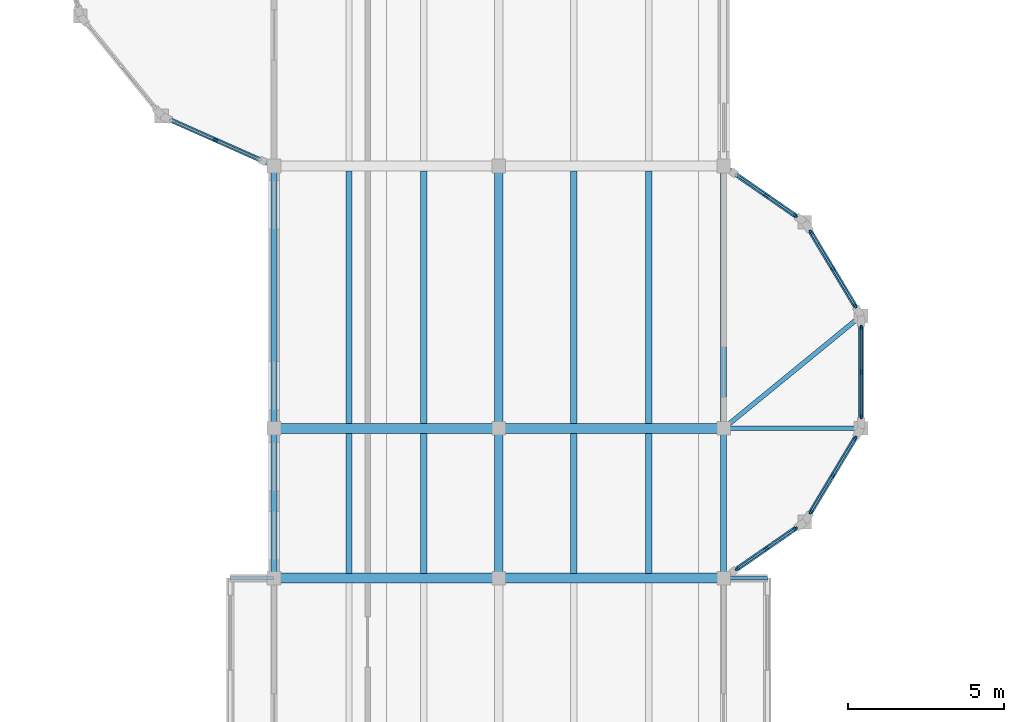
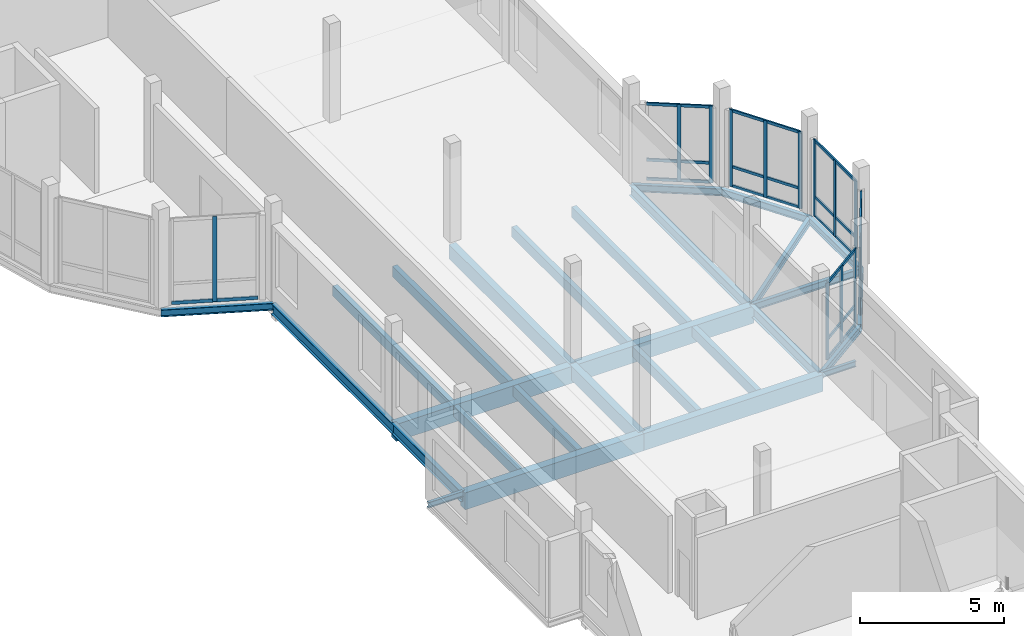
# One storey, part 26 of 81: 31 members, 28 beams, 6 elements without a shape of their own.
"""IFC4 building model written with IfcOpenShell, lengths in metres."""

from ifc_helpers import new_model, si_unit, direction, frame, origin, origin_2d, place, context, subcontext, project, spatial, rectangle, i_section, extrude, material, material_profile, profile_set, type_object, element, aggregate, save


model = new_model("IFC4")

# Units and contexts
model_context = context("Model", 3, precision=1e-05, world=origin(), true_north=direction((0.0, 1.0)))
body_context = subcontext(model_context, "Body", "Model", "MODEL_VIEW")
ifc_project = project(units=[si_unit("LENGTHUNIT", "METRE"), si_unit("AREAUNIT", "SQUARE_METRE"), si_unit("VOLUMEUNIT", "CUBIC_METRE"), si_unit("PLANEANGLEUNIT", "RADIAN"), si_unit("MASSUNIT", "GRAM", prefix="KILO")], contexts=[model_context])

# Site, building, storey
site_placement = place(None, origin())
site = spatial("IfcSite", under=ifc_project, at=site_placement, CompositionType="ELEMENT")
building_placement = place(site_placement, origin())
building = spatial("IfcBuilding", under=site, at=building_placement, Name="Kahlenmark Community Centre", CompositionType="ELEMENT")
storey_placement = place(building_placement, frame((0.0, 0.0, 9.60009765625)))
storey = spatial("IfcBuildingStorey", under=building, at=storey_placement, Name="L02", CompositionType="ELEMENT", Elevation=9.60009765625)

# Beams
ifc_material_1 = material(Name="Glulam GL32h", Category="wood")
ifc_material_profile_1 = material_profile(ifc_material_1, rectangle(XDim=0.280029296875, YDim=0.60009765625, at=origin_2d()), Name="GL32h 280x600")
ifc_profile_set_1 = profile_set([ifc_material_profile_1], Name="Glulam GL32h")
beam_type_1 = type_object("IfcBeamType", Name="BT-BEAM-GL32h280x600", PredefinedType="BEAM", material=ifc_profile_set_1)
beam_1_placement = place(storey_placement, frame((79.60009765625, 76.0, -0.52001953125), z_axis=(0.0, 1.0, 0.0), x_axis=(-1.0, 0.0, 0.0)))
element("IfcBeam", 1, at=beam_1_placement, inside=storey, type_object=beam_type_1, Name="L02 beam BG-GL32h280x600", PredefinedType="BEAM", context=body_context, shape_type="SweptSolid", body=[
    extrude(rectangle(XDim=0.280029296875, YDim=0.60009765625, at=origin_2d()), origin(), (0.0, 0.0, 1.0), 4.800048828125),
])
beam_2_placement = place(storey_placement, frame((79.60009765625, 80.800048828125, -0.52001953125), z_axis=(0.0, 1.0, 0.0), x_axis=(-1.0, 0.0, 0.0)))
element("IfcBeam", 2, at=beam_2_placement, inside=storey, type_object=beam_type_1, Name="L02 beam BG-GL32h280x600", PredefinedType="BEAM", context=body_context, shape_type="SweptSolid", body=[
    extrude(rectangle(XDim=0.280029296875, YDim=0.60009765625, at=origin_2d()), origin(), (0.0, 0.0, 1.0), 8.39990234375),
])
ifc_material_profile_2 = material_profile(ifc_material_1, rectangle(XDim=0.320068359375, YDim=0.719970703125, at=origin_2d()), Name="GL32h 320x720")
ifc_profile_set_2 = profile_set([ifc_material_profile_2], Name="Glulam GL32h")
beam_type_2 = type_object("IfcBeamType", Name="BT-BEAM-GL32h320x720", PredefinedType="BEAM", material=ifc_profile_set_2)
beam_3_placement = place(storey_placement, frame((72.39990234375, 76.0, -0.580078125), z_axis=(1.0, 0.0, 0.0), x_axis=(0.0, 1.0, 0.0)))
element("IfcBeam", 3, at=beam_3_placement, inside=storey, type_object=beam_type_2, Name="L02 beam BG-GL32h320x720", PredefinedType="BEAM", context=body_context, shape_type="SweptSolid", body=[
    extrude(rectangle(XDim=0.320068359375, YDim=0.719970703125, at=origin_2d()), origin(), (0.0, 0.0, 1.0), 7.2001953125),
])
beam_4_placement = place(storey_placement, frame((79.60009765625, 76.0, -0.580078125), z_axis=(1.0, 0.0, 0.0), x_axis=(0.0, 1.0, 0.0)))
element("IfcBeam", 4, at=beam_4_placement, inside=storey, type_object=beam_type_2, Name="L02 beam BG-GL32h320x720", PredefinedType="BEAM", context=body_context, shape_type="SweptSolid", body=[
    extrude(rectangle(XDim=0.320068359375, YDim=0.719970703125, at=origin_2d()), origin(), (0.0, 0.0, 1.0), 7.199951171875),
])
beam_5_placement = place(storey_placement, frame((72.39990234375, 80.800048828125, -0.580078125), z_axis=(1.0, 0.0, 0.0), x_axis=(0.0, 1.0, 0.0)))
element("IfcBeam", 5, at=beam_5_placement, inside=storey, type_object=beam_type_2, Name="L02 beam BG-GL32h320x720", PredefinedType="BEAM", context=body_context, shape_type="SweptSolid", body=[
    extrude(rectangle(XDim=0.320068359375, YDim=0.719970703125, at=origin_2d()), origin(), (0.0, 0.0, 1.0), 7.2001953125),
])
beam_6_placement = place(storey_placement, frame((79.60009765625, 80.800048828125, -0.580078125), z_axis=(1.0, 0.0, 0.0), x_axis=(0.0, 1.0, 0.0)))
element("IfcBeam", 6, at=beam_6_placement, inside=storey, type_object=beam_type_2, Name="L02 beam BG-GL32h320x720", PredefinedType="BEAM", context=body_context, shape_type="SweptSolid", body=[
    extrude(rectangle(XDim=0.320068359375, YDim=0.719970703125, at=origin_2d()), origin(), (0.0, 0.0, 1.0), 7.199951171875),
])
ifc_material_2 = material(Name="Steel S355", Category="steel")
ifc_material_profile_3 = material_profile(ifc_material_2, i_section(OverallWidth=0.1201171875, OverallDepth=0.239990234375, WebThickness=0.006103515625, FlangeThickness=0.009765625, at=origin_2d()), Name="IPE 240")
ifc_profile_set_3 = profile_set([ifc_material_profile_3], Name="Steel S355")
beam_type_3 = type_object("IfcBeamType", Name="BT-BEAM-IPE240", PredefinedType="BEAM", material=ifc_profile_set_3)
for number, where, z_axis, x_axis, name in (
    (7, (86.800048828125, 76.0, -0.320068359375), (1.0, 0.0, 0.0), (0.0, 1.0, 0.0), "L02 beam BG-IPE240"),
    (8, (71.0, 76.0, -0.320068359375), (1.0, 0.0, 0.0), (0.0, 1.0, 0.0), "L02 beam BG-IPE240"),
):
    element("IfcBeam", number, at=place(storey_placement, frame(where, z_axis=z_axis, x_axis=x_axis)), inside=storey, type_object=beam_type_3, Name=name, PredefinedType="BEAM", context=body_context, shape_type="SweptSolid", body=[
        extrude(i_section(OverallWidth=0.1201171875, OverallDepth=0.239990234375, WebThickness=0.006103515625, FlangeThickness=0.009765625, at=origin_2d()), origin(), (0.0, 0.0, 1.0), 1.39990234375),
    ])
ifc_material_profile_4 = material_profile(ifc_material_2, i_section(OverallWidth=0.14990234375, OverallDepth=0.300048828125, WebThickness=0.007080078125, FlangeThickness=0.0107421875, at=origin_2d()), Name="IPE 300")
ifc_profile_set_4 = profile_set([ifc_material_profile_4], Name="Steel S355")
beam_type_4 = type_object("IfcBeamType", Name="BT-BEAM-IPE300", PredefinedType="BEAM", material=ifc_profile_set_4)
beam_7_placement = place(storey_placement, frame((91.199951171875, 80.800048828125, -0.35009765625), z_axis=(-1.0, 0.0, 0.0), x_axis=(0.0, -1.0, 0.0)))
element("IfcBeam", 9, at=beam_7_placement, inside=storey, type_object=beam_type_4, Name="L02 beam BG-IPE300", PredefinedType="BEAM", context=body_context, shape_type="SweptSolid", body=[
    extrude(i_section(OverallWidth=0.14990234375, OverallDepth=0.300048828125, WebThickness=0.007080078125, FlangeThickness=0.0107421875, at=origin_2d()), origin(), (0.0, 0.0, 1.0), 4.39990234375),
])
beam_8_placement = place(storey_placement, frame((91.199951171875, 84.39990234375, -0.35009765625), z_axis=(-0.773963039406, -0.633230774389, 0.0), x_axis=(0.633230774389, -0.773963039406, 0.0)))
element("IfcBeam", 10, at=beam_8_placement, inside=storey, type_object=beam_type_4, Name="L02 beam BG-IPE300", PredefinedType="BEAM", context=body_context, shape_type="SweptSolid", body=[
    extrude(i_section(OverallWidth=0.14990234375, OverallDepth=0.300048828125, WebThickness=0.007080078125, FlangeThickness=0.0107421875, at=origin_2d()), origin(), (0.0, 0.0, 1.0), 5.684814453125),
])
ifc_material_3 = material(Name="Glulam GL28h", Category="wood")
ifc_material_profile_5 = material_profile(ifc_material_3, rectangle(XDim=0.199951171875, YDim=0.43994140625, at=origin_2d()), Name="GL28h 200x440")
ifc_profile_set_5 = profile_set([ifc_material_profile_5], Name="Glulam GL28h")
beam_type_5 = type_object("IfcBeamType", Name="BT-JOIST-GL28h200x440", PredefinedType="JOIST", material=ifc_profile_set_5)
for number, where, z_axis, x_axis, name in (
    (11, (74.800048828125, 76.157958984375, -0.440185546875), (0.0, 1.0, 0.0), (-1.0, 0.0, 0.0), "L02 joist BJ-GL28h200x440"),
    (12, (77.199951171875, 76.157958984375, -0.440185546875), (0.0, 1.0, 0.0), (-1.0, 0.0, 0.0), "L02 joist BJ-GL28h200x440"),
):
    element("IfcBeam", number, at=place(storey_placement, frame(where, z_axis=z_axis, x_axis=x_axis)), inside=storey, type_object=beam_type_5, Name=name, PredefinedType="JOIST", context=body_context, shape_type="SweptSolid", body=[
        extrude(rectangle(XDim=0.199951171875, YDim=0.43994140625, at=origin_2d()), origin(), (0.0, 0.0, 1.0), 4.484130859375),
    ])
for number, where, z_axis, x_axis, name in (
    (13, (74.800048828125, 80.9580078125, -0.440185546875), (0.0, 1.0, 0.0), (-1.0, 0.0, 0.0), "L02 joist BJ-GL28h200x440"),
    (14, (77.199951171875, 80.9580078125, -0.440185546875), (0.0, 1.0, 0.0), (-1.0, 0.0, 0.0), "L02 joist BJ-GL28h200x440"),
):
    element("IfcBeam", number, at=place(storey_placement, frame(where, z_axis=z_axis, x_axis=x_axis)), inside=storey, type_object=beam_type_5, Name=name, PredefinedType="JOIST", context=body_context, shape_type="SweptSolid", body=[
        extrude(rectangle(XDim=0.199951171875, YDim=0.43994140625, at=origin_2d()), origin(), (0.0, 0.0, 1.0), 8.083984375),
    ])
for number, where, z_axis, x_axis, name in (
    (15, (82.0, 76.157958984375, -0.440185546875), (0.0, 1.0, 0.0), (-1.0, 0.0, 0.0), "L02 joist BJ-GL28h200x440"),
    (16, (84.39990234375, 76.157958984375, -0.440185546875), (0.0, 1.0, 0.0), (-1.0, 0.0, 0.0), "L02 joist BJ-GL28h200x440"),
):
    element("IfcBeam", number, at=place(storey_placement, frame(where, z_axis=z_axis, x_axis=x_axis)), inside=storey, type_object=beam_type_5, Name=name, PredefinedType="JOIST", context=body_context, shape_type="SweptSolid", body=[
        extrude(rectangle(XDim=0.199951171875, YDim=0.43994140625, at=origin_2d()), origin(), (0.0, 0.0, 1.0), 4.484130859375),
    ])
for number, where, z_axis, x_axis, name in (
    (17, (82.0, 80.9580078125, -0.440185546875), (0.0, 1.0, 0.0), (-1.0, 0.0, 0.0), "L02 joist BJ-GL28h200x440"),
    (18, (84.39990234375, 80.9580078125, -0.440185546875), (0.0, 1.0, 0.0), (-1.0, 0.0, 0.0), "L02 joist BJ-GL28h200x440"),
):
    element("IfcBeam", number, at=place(storey_placement, frame(where, z_axis=z_axis, x_axis=x_axis)), inside=storey, type_object=beam_type_5, Name=name, PredefinedType="JOIST", context=body_context, shape_type="SweptSolid", body=[
        extrude(rectangle(XDim=0.199951171875, YDim=0.43994140625, at=origin_2d()), origin(), (0.0, 0.0, 1.0), 8.083984375),
    ])
ifc_material_profile_6 = material_profile(ifc_material_2, i_section(OverallWidth=0.14990234375, OverallDepth=0.300048828125, WebThickness=0.007080078125, FlangeThickness=0.0107421875, at=origin_2d()), Name="IPE 300")
ifc_profile_set_6 = profile_set([ifc_material_profile_6], Name="Steel S355")
beam_type_6 = type_object("IfcBeamType", Name="BT-SPANDREL-IPE300", PredefinedType="SPANDREL", material=ifc_profile_set_6)
beam_9_placement = place(storey_placement, frame((86.800048828125, 76.0, -0.35009765625), z_axis=(0.8221699556, 0.569242096219, 0.0), x_axis=(-0.569242096219, 0.8221699556, 0.0)))
element("IfcBeam", 19, at=beam_9_placement, inside=storey, type_object=beam_type_6, Name="L02 spandrel SP-IPE300", PredefinedType="SPANDREL", context=body_context, shape_type="SweptSolid", body=[
    extrude(i_section(OverallWidth=0.14990234375, OverallDepth=0.300048828125, WebThickness=0.007080078125, FlangeThickness=0.0107421875, at=origin_2d()), origin(), (0.0, 0.0, 1.0), 3.162109375),
])
beam_10_placement = place(storey_placement, frame((89.39990234375, 77.800048828125, -0.35009765625), z_axis=(0.514506017516, 0.857486768376, 0.0), x_axis=(-0.857486768376, 0.514506017516, 0.0)))
element("IfcBeam", 20, at=beam_10_placement, inside=storey, type_object=beam_type_6, Name="L02 spandrel SP-IPE300", PredefinedType="SPANDREL", context=body_context, shape_type="SweptSolid", body=[
    extrude(i_section(OverallWidth=0.14990234375, OverallDepth=0.300048828125, WebThickness=0.007080078125, FlangeThickness=0.0107421875, at=origin_2d()), origin(), (0.0, 0.0, 1.0), 3.49853515625),
])
beam_11_placement = place(storey_placement, frame((91.199951171875, 80.800048828125, -0.35009765625), z_axis=(0.0, 1.0, 0.0), x_axis=(-1.0, 0.0, 0.0)))
element("IfcBeam", 21, at=beam_11_placement, inside=storey, type_object=beam_type_6, Name="L02 spandrel SP-IPE300", PredefinedType="SPANDREL", context=body_context, shape_type="SweptSolid", body=[
    extrude(i_section(OverallWidth=0.14990234375, OverallDepth=0.300048828125, WebThickness=0.007080078125, FlangeThickness=0.0107421875, at=origin_2d()), origin(), (0.0, 0.0, 1.0), 3.599853515625),
])
beam_12_placement = place(storey_placement, frame((91.199951171875, 84.39990234375, -0.35009765625), z_axis=(-0.514506017516, 0.857486768376, 0.0), x_axis=(-0.857486768376, -0.514506017516, 0.0)))
element("IfcBeam", 22, at=beam_12_placement, inside=storey, type_object=beam_type_6, Name="L02 spandrel SP-IPE300", PredefinedType="SPANDREL", context=body_context, shape_type="SweptSolid", body=[
    extrude(i_section(OverallWidth=0.14990234375, OverallDepth=0.300048828125, WebThickness=0.007080078125, FlangeThickness=0.0107421875, at=origin_2d()), origin(), (0.0, 0.0, 1.0), 3.49853515625),
])
beam_13_placement = place(storey_placement, frame((89.39990234375, 87.39990234375, -0.35009765625), z_axis=(-0.8221699556, 0.569242096219, 0.0), x_axis=(-0.569242096219, -0.8221699556, 0.0)))
element("IfcBeam", 23, at=beam_13_placement, inside=storey, type_object=beam_type_6, Name="L02 spandrel SP-IPE300", PredefinedType="SPANDREL", context=body_context, shape_type="SweptSolid", body=[
    extrude(i_section(OverallWidth=0.14990234375, OverallDepth=0.300048828125, WebThickness=0.007080078125, FlangeThickness=0.0107421875, at=origin_2d()), origin(), (0.0, 0.0, 1.0), 3.162109375),
])
beam_14_placement = place(storey_placement, frame((68.800048828125, 90.800048828125, -0.35009765625), z_axis=(0.913796214371, -0.40617296636, 0.0), x_axis=(0.40617296636, 0.913796214371, 0.0)))
element("IfcBeam", 24, at=beam_14_placement, inside=storey, type_object=beam_type_6, Name="L02 spandrel SP-IPE300", PredefinedType="SPANDREL", context=body_context, shape_type="SweptSolid", body=[
    extrude(i_section(OverallWidth=0.14990234375, OverallDepth=0.300048828125, WebThickness=0.007080078125, FlangeThickness=0.0107421875, at=origin_2d()), origin(), (0.0, 0.0, 1.0), 3.939453125),
])
ifc_material_profile_7 = material_profile(ifc_material_2, i_section(OverallWidth=0.18994140625, OverallDepth=0.449951171875, WebThickness=0.009521484375, FlangeThickness=0.0146484375, at=origin_2d()), Name="IPE 450")
ifc_profile_set_7 = profile_set([ifc_material_profile_7], Name="Steel S355")
beam_type_7 = type_object("IfcBeamType", Name="BT-SPANDREL-IPE450", PredefinedType="SPANDREL", material=ifc_profile_set_7)
beam_15_placement = place(storey_placement, frame((72.39990234375, 76.0, -0.445068359375), z_axis=(0.0, 1.0, 0.0), x_axis=(-1.0, 0.0, 0.0)))
element("IfcBeam", 25, at=beam_15_placement, inside=storey, type_object=beam_type_7, Name="L02 spandrel SP-IPE450", PredefinedType="SPANDREL", context=body_context, shape_type="SweptSolid", body=[
    extrude(i_section(OverallWidth=0.18994140625, OverallDepth=0.449951171875, WebThickness=0.009521484375, FlangeThickness=0.0146484375, at=origin_2d()), origin(), (0.0, 0.0, 1.0), 4.800048828125),
])
beam_16_placement = place(storey_placement, frame((72.39990234375, 80.800048828125, -0.445068359375), z_axis=(0.0, 1.0, 0.0), x_axis=(-1.0, 0.0, 0.0)))
element("IfcBeam", 26, at=beam_16_placement, inside=storey, type_object=beam_type_7, Name="L02 spandrel SP-IPE450", PredefinedType="SPANDREL", context=body_context, shape_type="SweptSolid", body=[
    extrude(i_section(OverallWidth=0.18994140625, OverallDepth=0.449951171875, WebThickness=0.009521484375, FlangeThickness=0.0146484375, at=origin_2d()), origin(), (0.0, 0.0, 1.0), 8.39990234375),
])
beam_17_placement = place(storey_placement, frame((86.800048828125, 76.0, -0.445068359375), z_axis=(0.0, 1.0, 0.0), x_axis=(-1.0, 0.0, 0.0)))
element("IfcBeam", 27, at=beam_17_placement, inside=storey, type_object=beam_type_7, Name="L02 spandrel SP-IPE450", PredefinedType="SPANDREL", context=body_context, shape_type="SweptSolid", body=[
    extrude(i_section(OverallWidth=0.18994140625, OverallDepth=0.449951171875, WebThickness=0.009521484375, FlangeThickness=0.0146484375, at=origin_2d()), origin(), (0.0, 0.0, 1.0), 4.800048828125),
])
beam_18_placement = place(storey_placement, frame((86.800048828125, 80.800048828125, -0.445068359375), z_axis=(0.0, 1.0, 0.0), x_axis=(-1.0, 0.0, 0.0)))
element("IfcBeam", 28, at=beam_18_placement, inside=storey, type_object=beam_type_7, Name="L02 spandrel SP-IPE450", PredefinedType="SPANDREL", context=body_context, shape_type="SweptSolid", body=[
    extrude(i_section(OverallWidth=0.18994140625, OverallDepth=0.449951171875, WebThickness=0.009521484375, FlangeThickness=0.0146484375, at=origin_2d()), origin(), (0.0, 0.0, 1.0), 8.39990234375),
])

# Curtain wall, members
ifc_material_4 = material(Name="Anodised aluminium unitised curtain wall", Category="aluminium")
curtain_wall_type_1 = type_object("IfcCurtainWallType", Name="CWT-UNIT-232X327", PredefinedType="USERDEFINED", material=ifc_material_4)
curtain_wall_1_placement = place(storey_placement, origin())
curtain_wall_1 = element("IfcCurtainWall", 29, at=curtain_wall_1_placement, inside=storey, type_object=curtain_wall_type_1, Name="Unitised curtain wall CW-156", ObjectType="UNITISED CURTAIN WALL", PredefinedType="USERDEFINED")
ifc_material_5 = material(Name="Anodised aluminium 6063-T6", Category="aluminium")
ifc_material_profile_8 = material_profile(ifc_material_5, rectangle(XDim=0.06005859375, YDim=0.139892578125, at=origin_2d()), Name="ALU MULLION 60x140")
ifc_profile_set_8 = profile_set([ifc_material_profile_8], Name="Anodised aluminium 6063-T6")
member_type_1 = type_object("IfcMemberType", Name="MT-MUL-140", PredefinedType="MULLION", material=ifc_profile_set_8)
member_1_placement = place(storey_placement, frame((87.23583984375, 76.3017578125, 0.0), z_axis=(0.0, 0.0, 1.0), x_axis=(-0.56921208065, 0.822190736534, 0.0)))
member_1 = element("IfcMember", 30, at=member_1_placement, type_object=member_type_1, Name="CW-156 mullion 1", PredefinedType="MULLION", context=body_context, shape_type="SweptSolid", body=[
    extrude(rectangle(XDim=0.06005859375, YDim=0.139892578125, at=origin_2d()), origin(), (0.0, 0.0, 1.0), 3.27001953125),
])
member_2_placement = place(storey_placement, frame((88.165771484375, 76.945556640625, 0.0), z_axis=(0.0, 0.0, 1.0), x_axis=(-0.56921208065, 0.822190736534, 0.0)))
member_2 = element("IfcMember", 31, at=member_2_placement, type_object=member_type_1, Name="CW-156 mullion 2", PredefinedType="MULLION", context=body_context, shape_type="SweptSolid", body=[
    extrude(rectangle(XDim=0.06005859375, YDim=0.139892578125, at=origin_2d()), origin(), (0.0, 0.0, 1.0), 3.27001953125),
])
member_3_placement = place(storey_placement, frame((89.095703125, 77.58935546875, 0.0), z_axis=(0.0, 0.0, 1.0), x_axis=(-0.56921208065, 0.822190736534, 0.0)))
member_3 = element("IfcMember", 32, at=member_3_placement, type_object=member_type_1, Name="CW-156 mullion 3", PredefinedType="MULLION", context=body_context, shape_type="SweptSolid", body=[
    extrude(rectangle(XDim=0.06005859375, YDim=0.139892578125, at=origin_2d()), origin(), (0.0, 0.0, 1.0), 3.27001953125),
])

curtain_wall_type_2 = type_object("IfcCurtainWallType", Name="CWT-UNIT-282X327", PredefinedType="USERDEFINED", material=ifc_material_4)
curtain_wall_2_placement = place(storey_placement, origin())
curtain_wall_2 = element("IfcCurtainWall", 33, at=curtain_wall_2_placement, inside=storey, type_object=curtain_wall_type_2, Name="Unitised curtain wall CW-157", ObjectType="UNITISED CURTAIN WALL", PredefinedType="USERDEFINED")
member_4_placement = place(storey_placement, frame((89.59033203125, 78.1171875, 0.0), z_axis=(0.0, 0.0, 1.0), x_axis=(-0.857492535386, 0.514496405972, 0.0)))
member_4 = element("IfcMember", 34, at=member_4_placement, type_object=member_type_1, Name="CW-157 mullion 1", PredefinedType="MULLION", context=body_context, shape_type="SweptSolid", body=[
    extrude(rectangle(XDim=0.06005859375, YDim=0.139892578125, at=origin_2d()), origin(), (0.0, 0.0, 1.0), 3.27001953125),
])
member_5_placement = place(storey_placement, frame((90.300048828125, 79.300048828125, 0.0), z_axis=(0.0, 0.0, 1.0), x_axis=(-0.857492535386, 0.514496405972, 0.0)))
member_5 = element("IfcMember", 35, at=member_5_placement, type_object=member_type_1, Name="CW-157 mullion 2", PredefinedType="MULLION", context=body_context, shape_type="SweptSolid", body=[
    extrude(rectangle(XDim=0.06005859375, YDim=0.139892578125, at=origin_2d()), origin(), (0.0, 0.0, 1.0), 3.27001953125),
])
member_6_placement = place(storey_placement, frame((91.009765625, 80.48291015625, 0.0), z_axis=(0.0, 0.0, 1.0), x_axis=(-0.857492535386, 0.514496405972, 0.0)))
member_6 = element("IfcMember", 36, at=member_6_placement, type_object=member_type_1, Name="CW-157 mullion 3", PredefinedType="MULLION", context=body_context, shape_type="SweptSolid", body=[
    extrude(rectangle(XDim=0.06005859375, YDim=0.139892578125, at=origin_2d()), origin(), (0.0, 0.0, 1.0), 3.27001953125),
])

curtain_wall_type_3 = type_object("IfcCurtainWallType", Name="CWT-UNIT-292X327", PredefinedType="USERDEFINED", material=ifc_material_4)
curtain_wall_3_placement = place(storey_placement, origin())
curtain_wall_3 = element("IfcCurtainWall", 37, at=curtain_wall_3_placement, inside=storey, type_object=curtain_wall_type_3, Name="Unitised curtain wall CW-158", ObjectType="UNITISED CURTAIN WALL", PredefinedType="USERDEFINED")
member_7_placement = place(storey_placement, frame((91.199951171875, 81.169921875, 0.0), z_axis=(0.0, 0.0, 1.0), x_axis=(-1.0, 0.0, 0.0)))
member_7 = element("IfcMember", 38, at=member_7_placement, type_object=member_type_1, Name="CW-158 mullion 1", PredefinedType="MULLION", context=body_context, shape_type="SweptSolid", body=[
    extrude(rectangle(XDim=0.06005859375, YDim=0.139892578125, at=origin_2d()), origin(), (0.0, 0.0, 1.0), 3.27001953125),
])
member_8_placement = place(storey_placement, frame((91.199951171875, 82.60009765625, 0.0), z_axis=(0.0, 0.0, 1.0), x_axis=(-1.0, 0.0, 0.0)))
member_8 = element("IfcMember", 39, at=member_8_placement, type_object=member_type_1, Name="CW-158 mullion 2", PredefinedType="MULLION", context=body_context, shape_type="SweptSolid", body=[
    extrude(rectangle(XDim=0.06005859375, YDim=0.139892578125, at=origin_2d()), origin(), (0.0, 0.0, 1.0), 3.27001953125),
])
member_9_placement = place(storey_placement, frame((91.199951171875, 84.030029296875, 0.0), z_axis=(0.0, 0.0, 1.0), x_axis=(-1.0, 0.0, 0.0)))
member_9 = element("IfcMember", 40, at=member_9_placement, type_object=member_type_1, Name="CW-158 mullion 3", PredefinedType="MULLION", context=body_context, shape_type="SweptSolid", body=[
    extrude(rectangle(XDim=0.06005859375, YDim=0.139892578125, at=origin_2d()), origin(), (0.0, 0.0, 1.0), 3.27001953125),
])

curtain_wall_4_placement = place(storey_placement, origin())
curtain_wall_4 = element("IfcCurtainWall", 41, at=curtain_wall_4_placement, inside=storey, type_object=curtain_wall_type_2, Name="Unitised curtain wall CW-159", ObjectType="UNITISED CURTAIN WALL", PredefinedType="USERDEFINED")
member_10_placement = place(storey_placement, frame((91.009765625, 84.71728515625, 0.0), z_axis=(0.0, 0.0, 1.0), x_axis=(-0.857492535386, -0.514496405972, 0.0)))
member_10 = element("IfcMember", 42, at=member_10_placement, type_object=member_type_1, Name="CW-159 mullion 1", PredefinedType="MULLION", context=body_context, shape_type="SweptSolid", body=[
    extrude(rectangle(XDim=0.06005859375, YDim=0.139892578125, at=origin_2d()), origin(), (0.0, 0.0, 1.0), 3.27001953125),
])
member_11_placement = place(storey_placement, frame((90.300048828125, 85.89990234375, 0.0), z_axis=(0.0, 0.0, 1.0), x_axis=(-0.857492535386, -0.514496405972, 0.0)))
member_11 = element("IfcMember", 43, at=member_11_placement, type_object=member_type_1, Name="CW-159 mullion 2", PredefinedType="MULLION", context=body_context, shape_type="SweptSolid", body=[
    extrude(rectangle(XDim=0.06005859375, YDim=0.139892578125, at=origin_2d()), origin(), (0.0, 0.0, 1.0), 3.27001953125),
])
member_12_placement = place(storey_placement, frame((89.59033203125, 87.082763671875, 0.0), z_axis=(0.0, 0.0, 1.0), x_axis=(-0.857492535386, -0.514496405972, 0.0)))
member_12 = element("IfcMember", 44, at=member_12_placement, type_object=member_type_1, Name="CW-159 mullion 3", PredefinedType="MULLION", context=body_context, shape_type="SweptSolid", body=[
    extrude(rectangle(XDim=0.06005859375, YDim=0.139892578125, at=origin_2d()), origin(), (0.0, 0.0, 1.0), 3.27001953125),
])

curtain_wall_5_placement = place(storey_placement, origin())
curtain_wall_5 = element("IfcCurtainWall", 45, at=curtain_wall_5_placement, inside=storey, type_object=curtain_wall_type_1, Name="Unitised curtain wall CW-160", ObjectType="UNITISED CURTAIN WALL", PredefinedType="USERDEFINED")
member_13_placement = place(storey_placement, frame((89.095703125, 87.610595703125, 0.0), z_axis=(0.0, 0.0, 1.0), x_axis=(-0.56921208065, -0.822190736534, 0.0)))
member_13 = element("IfcMember", 46, at=member_13_placement, type_object=member_type_1, Name="CW-160 mullion 1", PredefinedType="MULLION", context=body_context, shape_type="SweptSolid", body=[
    extrude(rectangle(XDim=0.06005859375, YDim=0.139892578125, at=origin_2d()), origin(), (0.0, 0.0, 1.0), 3.27001953125),
])
member_14_placement = place(storey_placement, frame((88.165771484375, 88.25439453125, 0.0), z_axis=(0.0, 0.0, 1.0), x_axis=(-0.56921208065, -0.822190736534, 0.0)))
member_14 = element("IfcMember", 47, at=member_14_placement, type_object=member_type_1, Name="CW-160 mullion 2", PredefinedType="MULLION", context=body_context, shape_type="SweptSolid", body=[
    extrude(rectangle(XDim=0.06005859375, YDim=0.139892578125, at=origin_2d()), origin(), (0.0, 0.0, 1.0), 3.27001953125),
])

# Curtain wall, member
curtain_wall_type_4 = type_object("IfcCurtainWallType", Name="CWT-UNIT-310X361", PredefinedType="USERDEFINED", material=ifc_material_4)
curtain_wall_6_placement = place(storey_placement, origin())
curtain_wall_6 = element("IfcCurtainWall", 48, at=curtain_wall_6_placement, inside=storey, type_object=curtain_wall_type_4, Name="Unitised curtain wall CW-181", ObjectType="UNITISED CURTAIN WALL", PredefinedType="USERDEFINED")
ifc_material_profile_9 = material_profile(ifc_material_5, rectangle(XDim=0.06005859375, YDim=0.159912109375, at=origin_2d()), Name="ALU MULLION 60x160")
ifc_profile_set_9 = profile_set([ifc_material_profile_9], Name="Anodised aluminium 6063-T6")
member_type_2 = type_object("IfcMemberType", Name="MT-MUL-160", PredefinedType="MULLION", material=ifc_profile_set_9)
member_15_placement = place(storey_placement, frame((70.52685546875, 90.032470703125, 0.0), z_axis=(0.0, 0.0, 1.0), x_axis=(0.406125882643, 0.913817141143, 0.0)))
member_15 = element("IfcMember", 49, at=member_15_placement, type_object=member_type_2, Name="CW-181 mullion 2", PredefinedType="MULLION", context=body_context, shape_type="SweptSolid", body=[
    extrude(rectangle(XDim=0.06005859375, YDim=0.159912109375, at=origin_2d()), origin(), (0.0, 0.0, 1.0), 3.60986328125),
])

# Member
ifc_material_profile_10 = material_profile(ifc_material_5, rectangle(XDim=0.06005859375, YDim=0.1201171875, at=origin_2d()), Name="ALU TRANSOM 60x120")
ifc_profile_set_10 = profile_set([ifc_material_profile_10], Name="Anodised aluminium 6063-T6")
member_type_3 = type_object("IfcMemberType", Name="MT-TRN-120", PredefinedType="USERDEFINED", material=ifc_profile_set_10)
member_16_placement = place(storey_placement, frame((87.23583984375, 76.3017578125, 0.039794921875), z_axis=(0.822192191644, 0.56920997883, 0.0), x_axis=(-0.56920997883, 0.822192191644, 0.0)))
member_16 = element("IfcMember", 50, at=member_16_placement, type_object=member_type_3, Name="CW-156 transom 1", ObjectType="TRANSOM", PredefinedType="USERDEFINED", context=body_context, shape_type="SweptSolid", body=[
    extrude(rectangle(XDim=0.06005859375, YDim=0.1201171875, at=origin_2d()), origin(), (0.0, 0.0, 1.0), 2.261962890625),
])

member_17_placement = place(storey_placement, frame((87.23583984375, 76.3017578125, 0.849853515625), z_axis=(0.822192191644, 0.56920997883, 0.0), x_axis=(-0.56920997883, 0.822192191644, 0.0)))
member_17 = element("IfcMember", 51, at=member_17_placement, type_object=member_type_3, Name="CW-156 transom 2", ObjectType="TRANSOM", PredefinedType="USERDEFINED", context=body_context, shape_type="SweptSolid", body=[
    extrude(rectangle(XDim=0.06005859375, YDim=0.1201171875, at=origin_2d()), origin(), (0.0, 0.0, 1.0), 2.261962890625),
])

member_18_placement = place(storey_placement, frame((87.23583984375, 76.3017578125, 3.22998046875), z_axis=(0.822192191644, 0.56920997883, 0.0), x_axis=(-0.56920997883, 0.822192191644, 0.0)))
member_18 = element("IfcMember", 52, at=member_18_placement, type_object=member_type_3, Name="CW-156 transom 3", ObjectType="TRANSOM", PredefinedType="USERDEFINED", context=body_context, shape_type="SweptSolid", body=[
    extrude(rectangle(XDim=0.06005859375, YDim=0.1201171875, at=origin_2d()), origin(), (0.0, 0.0, 1.0), 2.261962890625),
])

aggregate(curtain_wall_1, [member_1, member_2, member_3, member_16, member_17, member_18])

member_19_placement = place(storey_placement, frame((89.59033203125, 78.1171875, 0.039794921875), z_axis=(0.514495755428, 0.857492925713, 0.0), x_axis=(-0.857492925713, 0.514495755428, 0.0)))
member_19 = element("IfcMember", 53, at=member_19_placement, type_object=member_type_3, Name="CW-157 transom 1", ObjectType="TRANSOM", PredefinedType="USERDEFINED", context=body_context, shape_type="SweptSolid", body=[
    extrude(rectangle(XDim=0.06005859375, YDim=0.1201171875, at=origin_2d()), origin(), (0.0, 0.0, 1.0), 2.7587890625),
])

member_20_placement = place(storey_placement, frame((89.59033203125, 78.1171875, 0.849853515625), z_axis=(0.514495755428, 0.857492925713, 0.0), x_axis=(-0.857492925713, 0.514495755428, 0.0)))
member_20 = element("IfcMember", 54, at=member_20_placement, type_object=member_type_3, Name="CW-157 transom 2", ObjectType="TRANSOM", PredefinedType="USERDEFINED", context=body_context, shape_type="SweptSolid", body=[
    extrude(rectangle(XDim=0.06005859375, YDim=0.1201171875, at=origin_2d()), origin(), (0.0, 0.0, 1.0), 2.7587890625),
])

member_21_placement = place(storey_placement, frame((89.59033203125, 78.1171875, 3.22998046875), z_axis=(0.514495755428, 0.857492925713, 0.0), x_axis=(-0.857492925713, 0.514495755428, 0.0)))
member_21 = element("IfcMember", 55, at=member_21_placement, type_object=member_type_3, Name="CW-157 transom 3", ObjectType="TRANSOM", PredefinedType="USERDEFINED", context=body_context, shape_type="SweptSolid", body=[
    extrude(rectangle(XDim=0.06005859375, YDim=0.1201171875, at=origin_2d()), origin(), (0.0, 0.0, 1.0), 2.7587890625),
])

aggregate(curtain_wall_2, [member_4, member_5, member_6, member_19, member_20, member_21])

member_22_placement = place(storey_placement, frame((91.199951171875, 81.169921875, 0.039794921875), z_axis=(0.0, 1.0, 0.0), x_axis=(-1.0, 0.0, 0.0)))
member_22 = element("IfcMember", 56, at=member_22_placement, type_object=member_type_3, Name="CW-158 transom 1", ObjectType="TRANSOM", PredefinedType="USERDEFINED", context=body_context, shape_type="SweptSolid", body=[
    extrude(rectangle(XDim=0.06005859375, YDim=0.1201171875, at=origin_2d()), origin(), (0.0, 0.0, 1.0), 2.860107421875),
])

member_23_placement = place(storey_placement, frame((91.199951171875, 81.169921875, 0.849853515625), z_axis=(0.0, 1.0, 0.0), x_axis=(-1.0, 0.0, 0.0)))
member_23 = element("IfcMember", 57, at=member_23_placement, type_object=member_type_3, Name="CW-158 transom 2", ObjectType="TRANSOM", PredefinedType="USERDEFINED", context=body_context, shape_type="SweptSolid", body=[
    extrude(rectangle(XDim=0.06005859375, YDim=0.1201171875, at=origin_2d()), origin(), (0.0, 0.0, 1.0), 2.860107421875),
])

member_24_placement = place(storey_placement, frame((91.199951171875, 81.169921875, 3.22998046875), z_axis=(0.0, 1.0, 0.0), x_axis=(-1.0, 0.0, 0.0)))
member_24 = element("IfcMember", 58, at=member_24_placement, type_object=member_type_3, Name="CW-158 transom 3", ObjectType="TRANSOM", PredefinedType="USERDEFINED", context=body_context, shape_type="SweptSolid", body=[
    extrude(rectangle(XDim=0.06005859375, YDim=0.1201171875, at=origin_2d()), origin(), (0.0, 0.0, 1.0), 2.860107421875),
])

aggregate(curtain_wall_3, [member_7, member_8, member_9, member_22, member_23, member_24])

member_25_placement = place(storey_placement, frame((91.009765625, 84.71728515625, 0.039794921875), z_axis=(-0.514534798693, 0.857469498544, 0.0), x_axis=(-0.857469498544, -0.514534798693, 0.0)))
member_25 = element("IfcMember", 59, at=member_25_placement, type_object=member_type_3, Name="CW-159 transom 1", ObjectType="TRANSOM", PredefinedType="USERDEFINED", context=body_context, shape_type="SweptSolid", body=[
    extrude(rectangle(XDim=0.06005859375, YDim=0.1201171875, at=origin_2d()), origin(), (0.0, 0.0, 1.0), 2.7587890625),
])

member_26_placement = place(storey_placement, frame((91.009765625, 84.71728515625, 0.849853515625), z_axis=(-0.514534798693, 0.857469498544, 0.0), x_axis=(-0.857469498544, -0.514534798693, 0.0)))
member_26 = element("IfcMember", 60, at=member_26_placement, type_object=member_type_3, Name="CW-159 transom 2", ObjectType="TRANSOM", PredefinedType="USERDEFINED", context=body_context, shape_type="SweptSolid", body=[
    extrude(rectangle(XDim=0.06005859375, YDim=0.1201171875, at=origin_2d()), origin(), (0.0, 0.0, 1.0), 2.7587890625),
])

member_27_placement = place(storey_placement, frame((91.009765625, 84.71728515625, 3.22998046875), z_axis=(-0.514534798693, 0.857469498544, 0.0), x_axis=(-0.857469498544, -0.514534798693, 0.0)))
member_27 = element("IfcMember", 61, at=member_27_placement, type_object=member_type_3, Name="CW-159 transom 3", ObjectType="TRANSOM", PredefinedType="USERDEFINED", context=body_context, shape_type="SweptSolid", body=[
    extrude(rectangle(XDim=0.06005859375, YDim=0.1201171875, at=origin_2d()), origin(), (0.0, 0.0, 1.0), 2.7587890625),
])

aggregate(curtain_wall_4, [member_10, member_11, member_12, member_25, member_26, member_27])

member_28_placement = place(storey_placement, frame((89.095703125, 87.610595703125, 0.039794921875), z_axis=(-0.822192191644, 0.56920997883, 0.0), x_axis=(-0.56920997883, -0.822192191644, 0.0)))
member_28 = element("IfcMember", 62, at=member_28_placement, type_object=member_type_3, Name="CW-160 transom 1", ObjectType="TRANSOM", PredefinedType="USERDEFINED", context=body_context, shape_type="SweptSolid", body=[
    extrude(rectangle(XDim=0.06005859375, YDim=0.1201171875, at=origin_2d()), origin(), (0.0, 0.0, 1.0), 2.261962890625),
])

member_29_placement = place(storey_placement, frame((89.095703125, 87.610595703125, 0.849853515625), z_axis=(-0.822192191644, 0.56920997883, 0.0), x_axis=(-0.56920997883, -0.822192191644, 0.0)))
member_29 = element("IfcMember", 63, at=member_29_placement, type_object=member_type_3, Name="CW-160 transom 2", ObjectType="TRANSOM", PredefinedType="USERDEFINED", context=body_context, shape_type="SweptSolid", body=[
    extrude(rectangle(XDim=0.06005859375, YDim=0.1201171875, at=origin_2d()), origin(), (0.0, 0.0, 1.0), 2.261962890625),
])

member_30_placement = place(storey_placement, frame((89.095703125, 87.610595703125, 3.22998046875), z_axis=(-0.822192191644, 0.56920997883, 0.0), x_axis=(-0.56920997883, -0.822192191644, 0.0)))
member_30 = element("IfcMember", 64, at=member_30_placement, type_object=member_type_3, Name="CW-160 transom 3", ObjectType="TRANSOM", PredefinedType="USERDEFINED", context=body_context, shape_type="SweptSolid", body=[
    extrude(rectangle(XDim=0.06005859375, YDim=0.1201171875, at=origin_2d()), origin(), (0.0, 0.0, 1.0), 2.261962890625),
])

aggregate(curtain_wall_5, [member_13, member_14, member_28, member_29, member_30])

ifc_material_profile_11 = material_profile(ifc_material_5, rectangle(XDim=0.06005859375, YDim=0.139892578125, at=origin_2d()), Name="ALU TRANSOM 60x140")
ifc_profile_set_11 = profile_set([ifc_material_profile_11], Name="Anodised aluminium 6063-T6")
member_type_4 = type_object("IfcMemberType", Name="MT-TRN-140", PredefinedType="USERDEFINED", material=ifc_profile_set_11)
member_31_placement = place(storey_placement, frame((69.13818359375, 90.649658203125, 0.039794921875), z_axis=(0.913824797144, -0.406108655565, 0.0), x_axis=(0.406108655565, 0.913824797144, 0.0)))
member_31 = element("IfcMember", 65, at=member_31_placement, type_object=member_type_4, Name="CW-181 transom 1", ObjectType="TRANSOM", PredefinedType="USERDEFINED", context=body_context, shape_type="SweptSolid", body=[
    extrude(rectangle(XDim=0.06005859375, YDim=0.139892578125, at=origin_2d()), origin(), (0.0, 0.0, 1.0), 3.03955078125),
])

aggregate(curtain_wall_6, [member_15, member_31])

save(model, "model.ifc")
